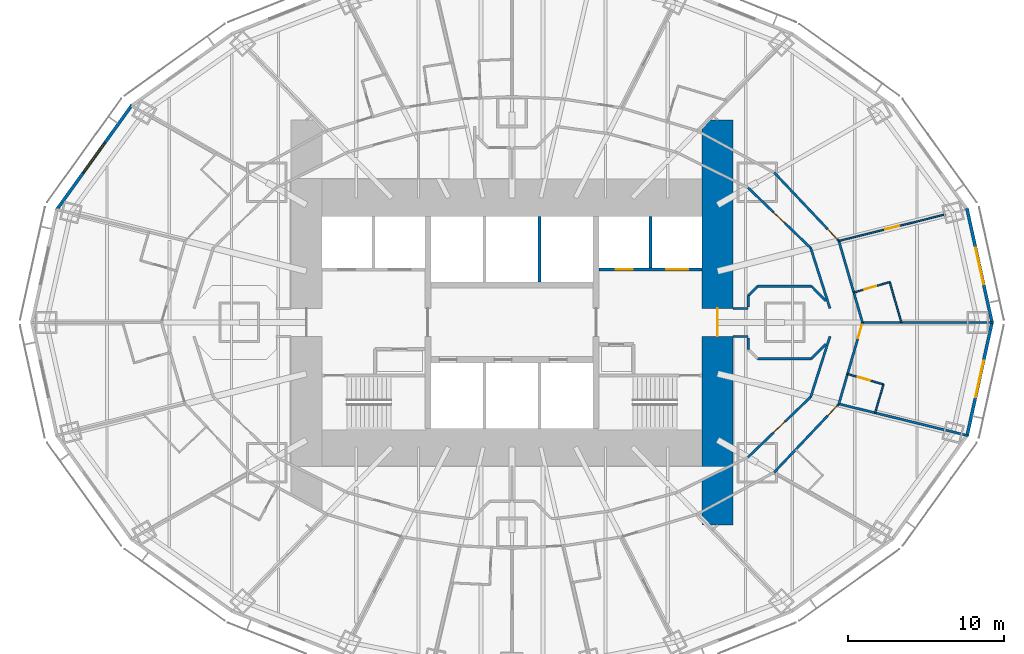
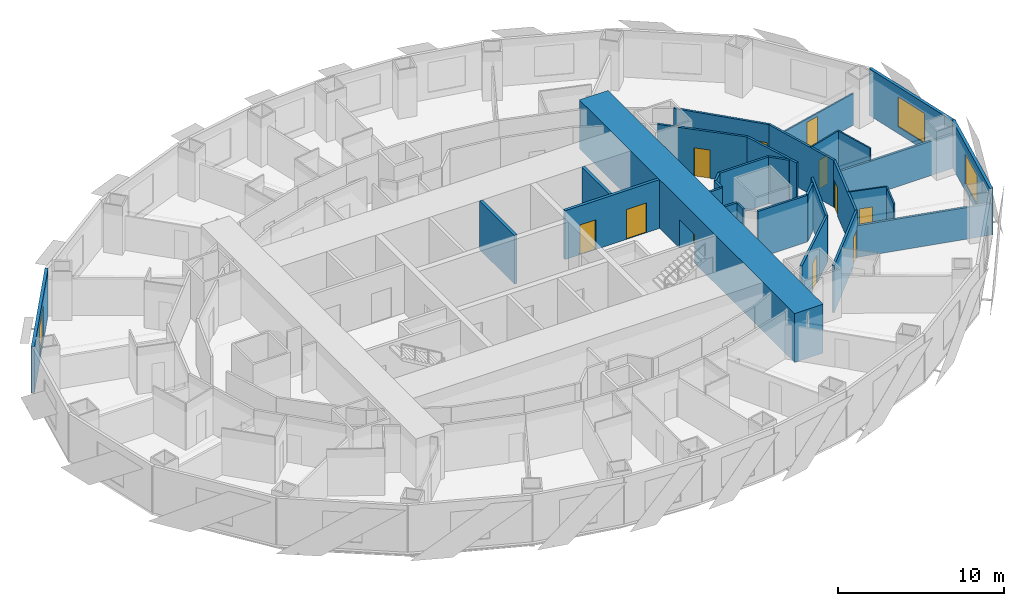
# One storey, part 8 of 15: 31 walls, 11 doors, 3 windows, 14 openings.
"""IFC4 building model written with IfcOpenShell, lengths in metres."""

from ifc_helpers import new_model, si_unit, direction, frame, frame_2d, origin, place, context, subcontext, project, spatial, rectangle, extrude, material, layer, layer_set, type_object, element, fill, save


model = new_model("IFC4")

# Units and contexts
model_context = context("Model", 3, precision=1e-05, world=origin(), true_north=direction((0.0, 1.0)))
body_context = subcontext(model_context, "Body", "Model", "MODEL_VIEW")
ifc_project = project(units=[si_unit("LENGTHUNIT", "METRE"), si_unit("AREAUNIT", "SQUARE_METRE"), si_unit("VOLUMEUNIT", "CUBIC_METRE"), si_unit("PLANEANGLEUNIT", "RADIAN"), si_unit("MASSUNIT", "GRAM", prefix="KILO")], contexts=[model_context])

# Site, building, storey
site_placement = place(None, origin())
site = spatial("IfcSite", under=ifc_project, at=site_placement, CompositionType="ELEMENT")
building_placement = place(site_placement, origin())
building = spatial("IfcBuilding", under=site, at=building_placement, Name="Lantaw Convention Tower", CompositionType="ELEMENT")
storey_placement = place(building_placement, frame((0.0, 0.0, 44.199951171875)))
storey = spatial("IfcBuildingStorey", under=building, at=storey_placement, Name="L08", CompositionType="ELEMENT", Elevation=44.199951171875)

# Wall, opening, door
ifc_material_1 = material(Name="Moisture resistant gypsum board on steel studs", Category="steel")
ifc_layer_1 = layer(ifc_material_1, 0.10009765625)
ifc_layer_set_1 = layer_set([ifc_layer_1], Name="Bathroom wall 100")
wall_type_1 = type_object("IfcWallType", Name="Bathroom wall 100", PredefinedType="PARTITIONING", material=ifc_layer_set_1)
wall_1_placement = place(storey_placement, frame((21.943359375, 1.9208984375, 0.0), z_axis=(0.0, 0.0, 1.0), x_axis=(0.960496317326, 0.278292695563, 0.0)))
wall_1 = element("IfcWall", 1, at=wall_1_placement, inside=storey, type_object=wall_type_1, Name="Bathroom wall 100", PredefinedType="PARTITIONING", context=body_context, shape_type="SweptSolid", body=[
    extrude(rectangle(XDim=2.400146484375, YDim=0.10009765625, at=frame_2d((1.2001953125, 0.0))), origin(), (0.0, 0.0, 1.0), 3.449951171875),
])
opening_1_placement = place(wall_1_placement, frame((0.699951171875, 0.0, 0.0)))
opening_1 = element("IfcOpeningElement", 2, at=opening_1_placement, cuts=wall_1, Name="Opening L08.26", PredefinedType="OPENING", context=body_context, shape_type="SweptSolid", body=[
    extrude(rectangle(XDim=0.800048828125, YDim=2.10009765625, at=frame_2d((0.39990234375, 1.050048828125))), frame((0.0, 0.06005859375, 0.0), z_axis=(0.0, -1.0, 0.0), x_axis=(1.0, 0.0, 0.0)), (0.0, 0.0, 1.0), 0.1201171875),
])
ifc_material_2 = material(Name="Timber", Category="wood")
door_type_1 = type_object("IfcDoorType", Name="Bathroom door 800", OperationType="SINGLE_SWING_LEFT", PredefinedType="DOOR", material=ifc_material_2)
door_1_placement = place(opening_1_placement, origin())
door_1 = element("IfcDoor", 3, at=door_1_placement, inside=storey, type_object=door_type_1, Name="Bathroom door", OperationType="SINGLE_SWING_LEFT", OverallHeight=2.10009765625, OverallWidth=0.800048828125, PredefinedType="DOOR", context=body_context, shape_type="SweptSolid", body=[
    extrude(rectangle(XDim=0.800048828125, YDim=2.10009765625, at=frame_2d((0.39990234375, 1.050048828125))), frame((0.0, 0.02490234375, 0.0), z_axis=(0.0, -1.0, 0.0), x_axis=(1.0, 0.0, 0.0)), (0.0, 0.0, 1.0), 0.050048828125),
])
fill(opening_1, door_1)

# Wall
wall_2_placement = place(storey_placement, frame((24.248779296875, 2.5888671875, 0.0), z_axis=(0.0, 0.0, 1.0), x_axis=(0.278260412958, -0.960505670249, 0.0)))
element("IfcWall", 4, at=wall_2_placement, inside=storey, type_object=wall_type_1, Name="Bathroom wall 100", PredefinedType="PARTITIONING", context=body_context, shape_type="SweptSolid", body=[
    extrude(rectangle(XDim=2.6953125, YDim=0.10009765625, at=frame_2d((1.34765625, 0.0))), origin(), (0.0, 0.0, 1.0), 3.449951171875),
])

# Wall, opening, door
wall_3_placement = place(storey_placement, frame((21.540771484375, -3.31103515625, 0.0), z_axis=(0.0, 0.0, 1.0), x_axis=(0.960515628303, -0.278226037218, 0.0)))
wall_3 = element("IfcWall", 5, at=wall_3_placement, inside=storey, type_object=wall_type_1, Name="Bathroom wall 100", PredefinedType="PARTITIONING", context=body_context, shape_type="SweptSolid", body=[
    extrude(rectangle(XDim=2.39990234375, YDim=0.10009765625, at=frame_2d((1.199951171875, 0.0))), origin(), (0.0, 0.0, 1.0), 3.449951171875),
])
opening_2_placement = place(wall_3_placement, frame((0.699951171875, 0.0, 0.0)))
opening_2 = element("IfcOpeningElement", 6, at=opening_2_placement, cuts=wall_3, Name="Opening L08.60", PredefinedType="OPENING", context=body_context, shape_type="SweptSolid", body=[
    extrude(rectangle(XDim=0.800048828125, YDim=2.10009765625, at=frame_2d((0.39990234375, 1.050048828125))), frame((0.0, 0.06005859375, 0.0), z_axis=(0.0, -1.0, 0.0), x_axis=(1.0, 0.0, 0.0)), (0.0, 0.0, 1.0), 0.1201171875),
])
door_2_placement = place(opening_2_placement, origin())
door_2 = element("IfcDoor", 7, at=door_2_placement, inside=storey, type_object=door_type_1, Name="Bathroom door", OperationType="SINGLE_SWING_LEFT", OverallHeight=2.10009765625, OverallWidth=0.800048828125, PredefinedType="DOOR", context=body_context, shape_type="SweptSolid", body=[
    extrude(rectangle(XDim=0.800048828125, YDim=2.10009765625, at=frame_2d((0.39990234375, 1.050048828125))), frame((0.0, 0.02490234375, 0.0), z_axis=(0.0, -1.0, 0.0), x_axis=(1.0, 0.0, 0.0)), (0.0, 0.0, 1.0), 0.050048828125),
])
fill(opening_2, door_2)

# Wall
wall_4_placement = place(storey_placement, frame((23.845947265625, -3.978759765625, 0.0), z_axis=(0.0, 0.0, 1.0), x_axis=(-0.278197767203, -0.960523816635, 0.0)))
element("IfcWall", 8, at=wall_4_placement, inside=storey, type_object=wall_type_1, Name="Bathroom wall 100", PredefinedType="PARTITIONING", context=body_context, shape_type="SweptSolid", body=[
    extrude(rectangle(XDim=1.90966796875, YDim=0.10009765625, at=frame_2d((0.954833984375, 0.0))), origin(), (0.0, 0.0, 1.0), 3.449951171875),
])

# Wall, opening, door
ifc_material_3 = material(Name="Concrete C60/75", Category="concrete")
ifc_layer_2 = layer(ifc_material_3, 2.0)
ifc_layer_set_2 = layer_set([ifc_layer_2], Name="Core wall 2000")
wall_type_2 = type_object("IfcWallType", Name="Core wall 2000", PredefinedType="SHEAR", material=ifc_layer_set_2)
wall_5_placement = place(storey_placement, frame((13.199951171875, -13.0, 0.0), z_axis=(0.0, 0.0, 1.0), x_axis=(0.0, 1.0, 0.0)))
wall_5 = element("IfcWall", 9, at=wall_5_placement, inside=storey, type_object=wall_type_2, Name="Core wall E", PredefinedType="SHEAR", context=body_context, shape_type="SweptSolid", body=[
    extrude(rectangle(XDim=26.0, YDim=2.0, at=frame_2d((13.0, 0.0))), origin(), (0.0, 0.0, 1.0), 3.60009765625),
])
opening_3_placement = place(wall_5_placement, frame((12.10009765625, 0.0, 0.0)))
opening_3 = element("IfcOpeningElement", 10, at=opening_3_placement, cuts=wall_5, Name="Opening L08.07", PredefinedType="OPENING", context=body_context, shape_type="SweptSolid", body=[
    extrude(rectangle(XDim=1.800048828125, YDim=2.10009765625, at=frame_2d((0.89990234375, 1.050048828125))), frame((0.0, 1.010009765625, 0.0), z_axis=(0.0, -1.0, 0.0), x_axis=(1.0, 0.0, 0.0)), (0.0, 0.0, 1.0), 2.02001953125),
])
ifc_material_4 = material(Name="Steel, fire rated", Category="steel")
door_type_2 = type_object("IfcDoorType", Name="Lobby double door FD90", OperationType="DOUBLE_DOOR_DOUBLE_SWING", PredefinedType="DOOR", material=ifc_material_4)
door_3_placement = place(opening_3_placement, origin())
door_3 = element("IfcDoor", 11, at=door_3_placement, inside=storey, type_object=door_type_2, Name="Firefighting lobby door", OperationType="DOUBLE_DOOR_DOUBLE_SWING", OverallHeight=2.10009765625, OverallWidth=1.800048828125, PredefinedType="DOOR", context=body_context, shape_type="SweptSolid", body=[
    extrude(rectangle(XDim=1.800048828125, YDim=2.10009765625, at=frame_2d((0.89990234375, 1.050048828125))), frame((0.0, 0.02490234375, 0.0), z_axis=(0.0, -1.0, 0.0), x_axis=(1.0, 0.0, 0.0)), (0.0, 0.0, 1.0), 0.050048828125),
])
fill(opening_3, door_3)

# Wall
ifc_material_5 = material(Name="Gypsum board on steel studs, fire rated", Category="steel")
ifc_layer_3 = layer(ifc_material_5, 0.14990234375)
ifc_layer_set_3 = layer_set([ifc_layer_3], Name="Corridor wall 150 EI 60")
wall_type_3 = type_object("IfcWallType", Name="Corridor wall 150 EI 60", PredefinedType="PARTITIONING", material=ifc_layer_set_3)
wall_6_placement = place(storey_placement, frame((22.5, 0.0, 0.0), z_axis=(0.0, 0.0, 1.0), x_axis=(-0.278247435376, 0.960509429785, 0.0)))
element("IfcWall", 12, at=wall_6_placement, inside=storey, type_object=wall_type_3, Name="Corridor wall 150", PredefinedType="PARTITIONING", context=body_context, shape_type="SweptSolid", body=[
    extrude(rectangle(XDim=5.447021484375, YDim=0.14990234375, at=frame_2d((2.7236328125, 0.0))), origin(), (0.0, 0.0, 1.0), 3.449951171875),
])

# Wall, opening, door
wall_7_placement = place(storey_placement, frame((20.984375, 5.23193359375, 0.0), z_axis=(0.0, 0.0, 1.0), x_axis=(-0.687062608696, 0.726598218916, 0.0)))
wall_7 = element("IfcWall", 13, at=wall_7_placement, inside=storey, type_object=wall_type_3, Name="Corridor wall 150", PredefinedType="PARTITIONING", context=body_context, shape_type="SweptSolid", body=[
    extrude(rectangle(XDim=6.039306640625, YDim=0.14990234375, at=frame_2d((3.01953125, 0.0))), origin(), (0.0, 0.0, 1.0), 3.449951171875),
])
opening_4_placement = place(wall_7_placement, frame((0.14990234375, 0.0, 0.0)))
opening_4 = element("IfcOpeningElement", 14, at=opening_4_placement, cuts=wall_7, Name="Opening L08.28", PredefinedType="OPENING", context=body_context, shape_type="SweptSolid", body=[
    extrude(rectangle(XDim=0.89990234375, YDim=2.10009765625, at=frame_2d((0.449951171875, 1.050048828125))), frame((0.0, 0.0849609375, 0.0), z_axis=(0.0, -1.0, 0.0), x_axis=(1.0, 0.0, 0.0)), (0.0, 0.0, 1.0), 0.169921875),
])
door_type_3 = type_object("IfcDoorType", Name="Guest room entrance door FD30S", OperationType="SINGLE_SWING_LEFT", PredefinedType="DOOR", material=ifc_material_4)
door_4_placement = place(opening_4_placement, origin())
door_4 = element("IfcDoor", 15, at=door_4_placement, inside=storey, type_object=door_type_3, Name="Suite entrance door", OperationType="SINGLE_SWING_LEFT", OverallHeight=2.10009765625, OverallWidth=0.89990234375, PredefinedType="DOOR", context=body_context, shape_type="SweptSolid", body=[
    extrude(rectangle(XDim=0.89990234375, YDim=2.10009765625, at=frame_2d((0.449951171875, 1.050048828125))), frame((0.0, 0.02490234375, 0.0), z_axis=(0.0, -1.0, 0.0), x_axis=(1.0, 0.0, 0.0)), (0.0, 0.0, 1.0), 0.050048828125),
])
fill(opening_4, door_4)

wall_8_placement = place(storey_placement, frame((16.8349609375, -9.6201171875, 0.0), z_axis=(0.0, 0.0, 1.0), x_axis=(0.687062608696, 0.726598218916, 0.0)))
wall_8 = element("IfcWall", 16, at=wall_8_placement, inside=storey, type_object=wall_type_3, Name="Corridor wall 150", PredefinedType="PARTITIONING", context=body_context, shape_type="SweptSolid", body=[
    extrude(rectangle(XDim=6.039306640625, YDim=0.14990234375, at=frame_2d((3.01953125, 0.0))), origin(), (0.0, 0.0, 1.0), 3.449951171875),
])
opening_5_placement = place(wall_8_placement, frame((4.989013671875, 0.0, 0.0)))
opening_5 = element("IfcOpeningElement", 17, at=opening_5_placement, cuts=wall_8, Name="Opening L08.59", PredefinedType="OPENING", context=body_context, shape_type="SweptSolid", body=[
    extrude(rectangle(XDim=0.89990234375, YDim=2.10009765625, at=frame_2d((0.449951171875, 1.050048828125))), frame((0.0, 0.0849609375, 0.0), z_axis=(0.0, -1.0, 0.0), x_axis=(1.0, 0.0, 0.0)), (0.0, 0.0, 1.0), 0.169921875),
])
door_5_placement = place(opening_5_placement, origin())
door_5 = element("IfcDoor", 18, at=door_5_placement, inside=storey, type_object=door_type_3, Name="Guest room entrance door", OperationType="SINGLE_SWING_LEFT", OverallHeight=2.10009765625, OverallWidth=0.89990234375, PredefinedType="DOOR", context=body_context, shape_type="SweptSolid", body=[
    extrude(rectangle(XDim=0.89990234375, YDim=2.10009765625, at=frame_2d((0.449951171875, 1.050048828125))), frame((0.0, 0.02490234375, 0.0), z_axis=(0.0, -1.0, 0.0), x_axis=(1.0, 0.0, 0.0)), (0.0, 0.0, 1.0), 0.050048828125),
])
fill(opening_5, door_5)

wall_9_placement = place(storey_placement, frame((20.984375, -5.23193359375, 0.0), z_axis=(0.0, 0.0, 1.0), x_axis=(0.278247435376, 0.960509429785, 0.0)))
wall_9 = element("IfcWall", 19, at=wall_9_placement, inside=storey, type_object=wall_type_3, Name="Corridor wall 150", PredefinedType="PARTITIONING", context=body_context, shape_type="SweptSolid", body=[
    extrude(rectangle(XDim=5.447021484375, YDim=0.14990234375, at=frame_2d((2.7236328125, 0.0))), origin(), (0.0, 0.0, 1.0), 3.449951171875),
])
opening_6_placement = place(wall_9_placement, frame((4.397216796875, 0.0, 0.0)))
opening_6 = element("IfcOpeningElement", 20, at=opening_6_placement, cuts=wall_9, Name="Opening L08.61", PredefinedType="OPENING", context=body_context, shape_type="SweptSolid", body=[
    extrude(rectangle(XDim=0.89990234375, YDim=2.10009765625, at=frame_2d((0.449951171875, 1.050048828125))), frame((0.0, 0.0849609375, 0.0), z_axis=(0.0, -1.0, 0.0), x_axis=(1.0, 0.0, 0.0)), (0.0, 0.0, 1.0), 0.169921875),
])
door_6_placement = place(opening_6_placement, origin())
door_6 = element("IfcDoor", 21, at=door_6_placement, inside=storey, type_object=door_type_3, Name="Guest room entrance door", OperationType="SINGLE_SWING_LEFT", OverallHeight=2.10009765625, OverallWidth=0.89990234375, PredefinedType="DOOR", context=body_context, shape_type="SweptSolid", body=[
    extrude(rectangle(XDim=0.89990234375, YDim=2.10009765625, at=frame_2d((0.449951171875, 1.050048828125))), frame((0.0, 0.02490234375, 0.0), z_axis=(0.0, -1.0, 0.0), x_axis=(1.0, 0.0, 0.0)), (0.0, 0.0, 1.0), 0.050048828125),
])
fill(opening_6, door_6)

# Wall
wall_10_placement = place(storey_placement, frame((20.413330078125, 0.89990234375, 0.0), z_axis=(0.0, 0.0, 1.0), x_axis=(-0.303505448228, 0.952829702988, 0.0)))
element("IfcWall", 22, at=wall_10_placement, inside=storey, type_object=wall_type_3, Name="Corridor wall 150", PredefinedType="PARTITIONING", context=body_context, shape_type="SweptSolid", body=[
    extrude(rectangle(XDim=4.073486328125, YDim=0.14990234375, at=frame_2d((2.03662109375, 0.0))), origin(), (0.0, 0.0, 1.0), 3.449951171875),
])

# Wall, opening, door
wall_11_placement = place(storey_placement, frame((19.177001953125, 4.78125, 0.0), z_axis=(0.0, 0.0, 1.0), x_axis=(-0.720837261072, 0.693104352209, 0.0)))
wall_11 = element("IfcWall", 23, at=wall_11_placement, inside=storey, type_object=wall_type_3, Name="Corridor wall 150", PredefinedType="PARTITIONING", context=body_context, shape_type="SweptSolid", body=[
    extrude(rectangle(XDim=5.590087890625, YDim=0.14990234375, at=frame_2d((2.794921875, 0.0))), origin(), (0.0, 0.0, 1.0), 3.449951171875),
])
opening_7_placement = place(wall_11_placement, frame((2.294921875, 0.0, 0.0)))
opening_7 = element("IfcOpeningElement", 24, at=opening_7_placement, cuts=wall_11, Name="Opening L08.17", PredefinedType="OPENING", context=body_context, shape_type="SweptSolid", body=[
    extrude(rectangle(XDim=1.0, YDim=2.10009765625, at=frame_2d((0.5, 1.050048828125))), frame((0.0, 0.0849609375, 0.0), z_axis=(0.0, -1.0, 0.0), x_axis=(1.0, 0.0, 0.0)), (0.0, 0.0, 1.0), 0.169921875),
])
door_type_4 = type_object("IfcDoorType", Name="Service door 1000 FD30", OperationType="SINGLE_SWING_LEFT", PredefinedType="DOOR", material=ifc_material_4)
door_7_placement = place(opening_7_placement, origin())
door_7 = element("IfcDoor", 25, at=door_7_placement, inside=storey, type_object=door_type_4, Name="Linen store door", OperationType="SINGLE_SWING_LEFT", OverallHeight=2.10009765625, OverallWidth=1.0, PredefinedType="DOOR", context=body_context, shape_type="SweptSolid", body=[
    extrude(rectangle(XDim=1.0, YDim=2.10009765625, at=frame_2d((0.5, 1.050048828125))), frame((0.0, 0.02490234375, 0.0), z_axis=(0.0, -1.0, 0.0), x_axis=(1.0, 0.0, 0.0)), (0.0, 0.0, 1.0), 0.050048828125),
])
fill(opening_7, door_7)

wall_12_placement = place(storey_placement, frame((15.1474609375, -8.65576171875, 0.0), z_axis=(0.0, 0.0, 1.0), x_axis=(0.720837261072, 0.693104352209, 0.0)))
wall_12 = element("IfcWall", 26, at=wall_12_placement, inside=storey, type_object=wall_type_3, Name="Corridor wall 150", PredefinedType="PARTITIONING", context=body_context, shape_type="SweptSolid", body=[
    extrude(rectangle(XDim=5.590087890625, YDim=0.14990234375, at=frame_2d((2.794921875, 0.0))), origin(), (0.0, 0.0, 1.0), 3.449951171875),
])
opening_8_placement = place(wall_12_placement, frame((2.294921875, 0.0, 0.0)))
opening_8 = element("IfcOpeningElement", 27, at=opening_8_placement, cuts=wall_12, Name="Opening L08.25", PredefinedType="OPENING", context=body_context, shape_type="SweptSolid", body=[
    extrude(rectangle(XDim=1.0, YDim=2.10009765625, at=frame_2d((0.5, 1.050048828125))), frame((0.0, 0.0849609375, 0.0), z_axis=(0.0, -1.0, 0.0), x_axis=(1.0, 0.0, 0.0)), (0.0, 0.0, 1.0), 0.169921875),
])
door_8_placement = place(opening_8_placement, origin())
door_8 = element("IfcDoor", 28, at=door_8_placement, inside=storey, type_object=door_type_4, Name="Room service pantry door", OperationType="SINGLE_SWING_LEFT", OverallHeight=2.10009765625, OverallWidth=1.0, PredefinedType="DOOR", context=body_context, shape_type="SweptSolid", body=[
    extrude(rectangle(XDim=1.0, YDim=2.10009765625, at=frame_2d((0.5, 1.050048828125))), frame((0.0, 0.02490234375, 0.0), z_axis=(0.0, -1.0, 0.0), x_axis=(1.0, 0.0, 0.0)), (0.0, 0.0, 1.0), 0.050048828125),
])
fill(opening_8, door_8)

# Walls
wall_13_placement = place(storey_placement, frame((19.177001953125, -4.78125, 0.0), z_axis=(0.0, 0.0, 1.0), x_axis=(0.303505448228, 0.952829702988, 0.0)))
element("IfcWall", 29, at=wall_13_placement, inside=storey, type_object=wall_type_3, Name="Corridor wall 150", PredefinedType="PARTITIONING", context=body_context, shape_type="SweptSolid", body=[
    extrude(rectangle(XDim=4.073486328125, YDim=0.14990234375, at=frame_2d((2.03662109375, 0.0))), origin(), (0.0, 0.0, 1.0), 3.449951171875),
])
for number, where, z_axis, x_axis, name in (
    (30, (14.199951171875, -0.89990234375, 0.0), (0.0, 0.0, 1.0), (1.0, 0.0, 0.0), "Corridor wall 150"),
    (31, (14.199951171875, 0.89990234375, 0.0), (0.0, 0.0, 1.0), (1.0, 0.0, 0.0), "Corridor wall 150"),
):
    element("IfcWall", number, at=place(storey_placement, frame(where, z_axis=z_axis, x_axis=x_axis)), inside=storey, type_object=wall_type_3, Name=name, PredefinedType="PARTITIONING", context=body_context, shape_type="SweptSolid", body=[
        extrude(rectangle(XDim=0.965087890625, YDim=0.14990234375, at=frame_2d((0.482421875, 0.0))), origin(), (0.0, 0.0, 1.0), 3.449951171875),
    ])
wall_14_placement = place(storey_placement, frame((15.175048828125, 1.003173828125, 0.0), z_axis=(0.0, 0.0, 1.0), x_axis=(0.0, 1.0, 0.0)))
element("IfcWall", 32, at=wall_14_placement, inside=storey, type_object=wall_type_3, Name="Corridor wall 150", PredefinedType="PARTITIONING", context=body_context, shape_type="SweptSolid", body=[
    extrude(rectangle(XDim=0.721435546875, YDim=0.14990234375, at=frame_2d((0.36083984375, 0.0))), origin(), (0.0, 0.0, 1.0), 3.449951171875),
])
wall_15_placement = place(storey_placement, frame((15.175048828125, 1.724609375, 0.0), z_axis=(0.0, 0.0, 1.0), x_axis=(0.707106781187, 0.707106781187, 0.0)))
element("IfcWall", 33, at=wall_15_placement, inside=storey, type_object=wall_type_3, Name="Corridor wall 150", PredefinedType="PARTITIONING", context=body_context, shape_type="SweptSolid", body=[
    extrude(rectangle(XDim=0.84912109375, YDim=0.14990234375, at=frame_2d((0.424560546875, 0.0))), origin(), (0.0, 0.0, 1.0), 3.449951171875),
])
wall_16_placement = place(storey_placement, frame((15.775390625, 2.324951171875, 0.0), z_axis=(0.0, 0.0, 1.0), x_axis=(1.0, 0.0, 0.0)))
element("IfcWall", 34, at=wall_16_placement, inside=storey, type_object=wall_type_3, Name="Corridor wall 150", PredefinedType="PARTITIONING", context=body_context, shape_type="SweptSolid", body=[
    extrude(rectangle(XDim=3.44921875, YDim=0.14990234375, at=frame_2d((1.724609375, 0.0))), origin(), (0.0, 0.0, 1.0), 3.449951171875),
])
for number, where, z_axis, x_axis, name in (
    (35, (19.224609375, 2.324951171875, 0.0), (0.0, 0.0, 1.0), (0.700694560486, -0.713461374501, 0.0), "Corridor wall 150"),
    (36, (20.149169921875, -1.383544921875, 0.0), (0.0, 0.0, 1.0), (-0.700694560486, -0.713461374501, 0.0), "Corridor wall 150"),
):
    element("IfcWall", number, at=place(storey_placement, frame(where, z_axis=z_axis, x_axis=x_axis)), inside=storey, type_object=wall_type_3, Name=name, PredefinedType="PARTITIONING", context=body_context, shape_type="SweptSolid", body=[
        extrude(rectangle(XDim=1.319580078125, YDim=0.14990234375, at=frame_2d((0.65966796875, 0.0))), origin(), (0.0, 0.0, 1.0), 3.449951171875),
    ])
wall_17_placement = place(storey_placement, frame((19.224609375, -2.324951171875, 0.0), z_axis=(0.0, 0.0, 1.0), x_axis=(-1.0, 0.0, 0.0)))
element("IfcWall", 37, at=wall_17_placement, inside=storey, type_object=wall_type_3, Name="Corridor wall 150", PredefinedType="PARTITIONING", context=body_context, shape_type="SweptSolid", body=[
    extrude(rectangle(XDim=3.44921875, YDim=0.14990234375, at=frame_2d((1.724609375, 0.0))), origin(), (0.0, 0.0, 1.0), 3.449951171875),
])
wall_18_placement = place(storey_placement, frame((15.175048828125, -1.724609375, 0.0), z_axis=(0.0, 0.0, 1.0), x_axis=(0.0, 1.0, 0.0)))
element("IfcWall", 38, at=wall_18_placement, inside=storey, type_object=wall_type_3, Name="Corridor wall 150", PredefinedType="PARTITIONING", context=body_context, shape_type="SweptSolid", body=[
    extrude(rectangle(XDim=0.721435546875, YDim=0.14990234375, at=frame_2d((0.36083984375, 0.0))), origin(), (0.0, 0.0, 1.0), 3.449951171875),
])

# Wall, opening, window
ifc_material_6 = material(Name="Insulated aluminium panel on steel frame", Category="steel")
ifc_layer_4 = layer(ifc_material_6, 0.199951171875)
ifc_layer_set_4 = layer_set([ifc_layer_4], Name="External wall 200")
wall_type_4 = type_object("IfcWallType", Name="External wall 200", PredefinedType="SOLIDWALL", material=ifc_layer_set_4)
wall_19_placement = place(storey_placement, frame((30.83544921875, -0.06689453125, 0.0), z_axis=(0.0, 0.0, 1.0), x_axis=(-0.215238065514, 0.976561608478, 0.0)))
wall_19 = element("IfcWall", 39, at=wall_19_placement, inside=storey, type_object=wall_type_4, Name="Facade panel wall", PredefinedType="SOLIDWALL", context=body_context, shape_type="SweptSolid", body=[
    extrude(rectangle(XDim=7.562255859375, YDim=0.199951171875, at=frame_2d((3.78125, 0.0))), origin(), (0.0, 0.0, 1.0), 3.449951171875),
])
opening_9_placement = place(wall_19_placement, frame((2.581298828125, 0.0, 0.5)))
opening_9 = element("IfcOpeningElement", 40, at=opening_9_placement, cuts=wall_19, Name="Opening W1", PredefinedType="OPENING", context=body_context, shape_type="SweptSolid", body=[
    extrude(rectangle(XDim=2.39990234375, YDim=2.199951171875, at=frame_2d((1.199951171875, 1.10009765625))), frame((0.0, 0.10986328125, 0.0), z_axis=(0.0, -1.0, 0.0), x_axis=(1.0, 0.0, 0.0)), (0.0, 0.0, 1.0), 0.219970703125),
])
ifc_material_7 = material(Name="Aluminium frame, clear insulating glass", Category="aluminium")
window_type = type_object("IfcWindowType", Name="Guest room window 2400x2200", PartitioningType="SINGLE_PANEL", PredefinedType="WINDOW", material=ifc_material_7)
window_1_placement = place(opening_9_placement, origin())
window_1 = element("IfcWindow", 41, at=window_1_placement, inside=storey, type_object=window_type, Name="Guest room window", OverallHeight=2.199951171875, OverallWidth=2.39990234375, PartitioningType="SINGLE_PANEL", PredefinedType="WINDOW", context=body_context, shape_type="SweptSolid", body=[
    extrude(rectangle(XDim=2.39990234375, YDim=2.199951171875, at=frame_2d((1.199951171875, 1.10009765625))), frame((0.0, 0.030029296875, 0.0), z_axis=(0.0, -1.0, 0.0), x_axis=(1.0, 0.0, 0.0)), (0.0, 0.0, 1.0), 0.06005859375),
])
fill(opening_9, window_1)

wall_20_placement = place(storey_placement, frame((-24.400390625, 13.95654296875, 0.0), z_axis=(0.0, 0.0, 1.0), x_axis=(-0.583937613703, -0.811798536155, 0.0)))
wall_20 = element("IfcWall", 42, at=wall_20_placement, inside=storey, type_object=wall_type_4, Name="Facade panel wall", PredefinedType="SOLIDWALL", context=body_context, shape_type="SweptSolid", body=[
    extrude(rectangle(XDim=8.322998046875, YDim=0.199951171875, at=frame_2d((4.16162109375, 0.0))), origin(), (0.0, 0.0, 1.0), 3.449951171875),
])
opening_10_placement = place(wall_20_placement, frame((2.96142578125, 0.0, 0.5)))
opening_10 = element("IfcOpeningElement", 43, at=opening_10_placement, cuts=wall_20, Name="Opening W1", PredefinedType="OPENING", context=body_context, shape_type="SweptSolid", body=[
    extrude(rectangle(XDim=2.39990234375, YDim=2.199951171875, at=frame_2d((1.199951171875, 1.10009765625))), frame((0.0, 0.10986328125, 0.0), z_axis=(0.0, -1.0, 0.0), x_axis=(1.0, 0.0, 0.0)), (0.0, 0.0, 1.0), 0.219970703125),
])
window_2_placement = place(opening_10_placement, origin())
window_2 = element("IfcWindow", 44, at=window_2_placement, inside=storey, type_object=window_type, Name="Guest room window", OverallHeight=2.199951171875, OverallWidth=2.39990234375, PartitioningType="SINGLE_PANEL", PredefinedType="WINDOW", context=body_context, shape_type="SweptSolid", body=[
    extrude(rectangle(XDim=2.39990234375, YDim=2.199951171875, at=frame_2d((1.199951171875, 1.10009765625))), frame((0.0, 0.030029296875, 0.0), z_axis=(0.0, -1.0, 0.0), x_axis=(1.0, 0.0, 0.0)), (0.0, 0.0, 1.0), 0.06005859375),
])
fill(opening_10, window_2)

wall_21_placement = place(storey_placement, frame((29.207763671875, -7.318115234375, 0.0), z_axis=(0.0, 0.0, 1.0), x_axis=(0.215238065514, 0.976561608478, 0.0)))
wall_21 = element("IfcWall", 45, at=wall_21_placement, inside=storey, type_object=wall_type_4, Name="Facade panel wall", PredefinedType="SOLIDWALL", context=body_context, shape_type="SweptSolid", body=[
    extrude(rectangle(XDim=7.562255859375, YDim=0.199951171875, at=frame_2d((3.78125, 0.0))), origin(), (0.0, 0.0, 1.0), 3.449951171875),
])
opening_11_placement = place(wall_21_placement, frame((2.581298828125, 0.0, 0.5)))
opening_11 = element("IfcOpeningElement", 46, at=opening_11_placement, cuts=wall_21, Name="Opening W1", PredefinedType="OPENING", context=body_context, shape_type="SweptSolid", body=[
    extrude(rectangle(XDim=2.39990234375, YDim=2.199951171875, at=frame_2d((1.199951171875, 1.10009765625))), frame((0.0, 0.10986328125, 0.0), z_axis=(0.0, -1.0, 0.0), x_axis=(1.0, 0.0, 0.0)), (0.0, 0.0, 1.0), 0.219970703125),
])
window_3_placement = place(opening_11_placement, origin())
window_3 = element("IfcWindow", 47, at=window_3_placement, inside=storey, type_object=window_type, Name="Guest room window", OverallHeight=2.199951171875, OverallWidth=2.39990234375, PartitioningType="SINGLE_PANEL", PredefinedType="WINDOW", context=body_context, shape_type="SweptSolid", body=[
    extrude(rectangle(XDim=2.39990234375, YDim=2.199951171875, at=frame_2d((1.199951171875, 1.10009765625))), frame((0.0, 0.030029296875, 0.0), z_axis=(0.0, -1.0, 0.0), x_axis=(1.0, 0.0, 0.0)), (0.0, 0.0, 1.0), 0.06005859375),
])
fill(opening_11, window_3)

# Walls
ifc_material_8 = material(Name="Gypsum board on steel studs, acoustic", Category="steel")
ifc_layer_5 = layer(ifc_material_8, 0.14990234375)
ifc_layer_set_5 = layer_set([ifc_layer_5], Name="Guest room party wall 150")
wall_type_5 = type_object("IfcWallType", Name="Guest room party wall 150", PredefinedType="PARTITIONING", material=ifc_layer_set_5)
wall_22_placement = place(storey_placement, frame((30.82080078125, 0.0, 0.0), z_axis=(0.0, 0.0, 1.0), x_axis=(-1.0, 0.0, 0.0)))
element("IfcWall", 48, at=wall_22_placement, inside=storey, type_object=wall_type_5, Name="Guest room party wall 150", PredefinedType="PARTITIONING", context=body_context, shape_type="SweptSolid", body=[
    extrude(rectangle(XDim=8.32080078125, YDim=0.14990234375, at=frame_2d((4.160400390625, 0.0))), origin(), (0.0, 0.0, 1.0), 2.528076171875),
])
wall_23_placement = place(storey_placement, frame((29.221923828125, -7.253662109375, 0.0), z_axis=(0.0, 0.0, 1.0), x_axis=(-0.971178166182, 0.238354713676, 0.0)))
element("IfcWall", 49, at=wall_23_placement, inside=storey, type_object=wall_type_5, Name="Guest room party wall 150", PredefinedType="PARTITIONING", context=body_context, shape_type="SweptSolid", body=[
    extrude(rectangle(XDim=8.48193359375, YDim=0.14990234375, at=frame_2d((4.240966796875, 0.0))), origin(), (0.0, 0.0, 1.0), 2.33251953125),
])
ifc_material_9 = material(Name="Concrete blockwork, fire rated", Category="masonry")
ifc_layer_6 = layer(ifc_material_9, 0.199951171875)
ifc_layer_set_6 = layer_set([ifc_layer_6], Name="Shaft wall 200")
wall_type_6 = type_object("IfcWallType", Name="Shaft wall 200", PredefinedType="SOLIDWALL", material=ifc_layer_set_6)
wall_24_placement = place(storey_placement, frame((1.7666015625, 2.60009765625, 0.0), z_axis=(0.0, 0.0, 1.0), x_axis=(0.0, 1.0, 0.0)))
element("IfcWall", 50, at=wall_24_placement, inside=storey, type_object=wall_type_6, Name="Shaft wall DN2", PredefinedType="SOLIDWALL", context=body_context, shape_type="SweptSolid", body=[
    extrude(rectangle(XDim=4.199951171875, YDim=0.199951171875, at=frame_2d((2.10009765625, 0.0))), origin(), (0.0, 0.0, 1.0), 3.60009765625),
])

# Wall, openings, doors
wall_25_placement = place(storey_placement, frame((12.199951171875, 3.39990234375, 0.0), z_axis=(0.0, 0.0, 1.0), x_axis=(-1.0, 0.0, 0.0)))
wall_25 = element("IfcWall", 51, at=wall_25_placement, inside=storey, type_object=wall_type_6, Name="Shaft wall EN", PredefinedType="SOLIDWALL", context=body_context, shape_type="SweptSolid", body=[
    extrude(rectangle(XDim=6.599853515625, YDim=0.199951171875, at=frame_2d((3.2998046875, 0.0))), origin(), (0.0, 0.0, 1.0), 3.60009765625),
])
opening_12_placement = place(wall_25_placement, frame((4.449951171875, 0.0, 0.0)))
opening_12 = element("IfcOpeningElement", 52, at=opening_12_placement, cuts=wall_25, Name="Opening L08.14", PredefinedType="OPENING", context=body_context, shape_type="SweptSolid", body=[
    extrude(rectangle(XDim=1.10009765625, YDim=2.199951171875, at=frame_2d((0.550048828125, 1.10009765625))), frame((0.0, 0.10986328125, 0.0), z_axis=(0.0, -1.0, 0.0), x_axis=(1.0, 0.0, 0.0)), (0.0, 0.0, 1.0), 0.219970703125),
])
opening_13_placement = place(wall_25_placement, frame((0.89990234375, 0.0, 0.0)))
opening_13 = element("IfcOpeningElement", 53, at=opening_13_placement, cuts=wall_25, Name="Opening L08.15", PredefinedType="OPENING", context=body_context, shape_type="SweptSolid", body=[
    extrude(rectangle(XDim=1.39990234375, YDim=2.199951171875, at=frame_2d((0.699951171875, 1.10009765625))), frame((0.0, 0.10986328125, 0.0), z_axis=(0.0, -1.0, 0.0), x_axis=(1.0, 0.0, 0.0)), (0.0, 0.0, 1.0), 0.219970703125),
])
ifc_material_10 = material(Name="Stainless steel", Category="steel")
door_type_5 = type_object("IfcDoorType", Name="Lift landing door 1100", OperationType="DOUBLE_DOOR_SLIDING", PredefinedType="DOOR", material=ifc_material_10)
door_9_placement = place(opening_12_placement, origin())
door_9 = element("IfcDoor", 54, at=door_9_placement, inside=storey, type_object=door_type_5, Name="Lift landing door FF2", OperationType="DOUBLE_DOOR_SLIDING", OverallHeight=2.199951171875, OverallWidth=1.10009765625, PredefinedType="DOOR", context=body_context, shape_type="SweptSolid", body=[
    extrude(rectangle(XDim=1.10009765625, YDim=2.199951171875, at=frame_2d((0.550048828125, 1.10009765625))), frame((0.0, 0.02490234375, 0.0), z_axis=(0.0, -1.0, 0.0), x_axis=(1.0, 0.0, 0.0)), (0.0, 0.0, 1.0), 0.050048828125),
])
fill(opening_12, door_9)
door_type_6 = type_object("IfcDoorType", Name="Lift landing door 1400", OperationType="DOUBLE_DOOR_SLIDING", PredefinedType="DOOR", material=ifc_material_10)
door_10_placement = place(opening_13_placement, origin())
door_10 = element("IfcDoor", 55, at=door_10_placement, inside=storey, type_object=door_type_6, Name="Lift landing door SV2", OperationType="DOUBLE_DOOR_SLIDING", OverallHeight=2.199951171875, OverallWidth=1.39990234375, PredefinedType="DOOR", context=body_context, shape_type="SweptSolid", body=[
    extrude(rectangle(XDim=1.39990234375, YDim=2.199951171875, at=frame_2d((0.699951171875, 1.10009765625))), frame((0.0, 0.02490234375, 0.0), z_axis=(0.0, -1.0, 0.0), x_axis=(1.0, 0.0, 0.0)), (0.0, 0.0, 1.0), 0.050048828125),
])
fill(opening_13, door_10)

# Wall
wall_26_placement = place(storey_placement, frame((8.89990234375, 3.5, 0.0), z_axis=(0.0, 0.0, 1.0), x_axis=(0.0, 1.0, 0.0)))
element("IfcWall", 56, at=wall_26_placement, inside=storey, type_object=wall_type_6, Name="Shaft wall ED", PredefinedType="SOLIDWALL", context=body_context, shape_type="SweptSolid", body=[
    extrude(rectangle(XDim=3.300048828125, YDim=0.199951171875, at=frame_2d((1.64990234375, 0.0))), origin(), (0.0, 0.0, 1.0), 3.60009765625),
])

# Wall, opening, door
ifc_material_11 = material(Name="Gypsum board on steel studs", Category="steel")
ifc_layer_7 = layer(ifc_material_11, 0.10009765625)
ifc_layer_set_7 = layer_set([ifc_layer_7], Name="Suite partition 100")
wall_type_7 = type_object("IfcWallType", Name="Suite partition 100", PredefinedType="PARTITIONING", material=ifc_layer_set_7)
wall_27_placement = place(storey_placement, frame((27.832763671875, 6.939453125, 0.0), z_axis=(0.0, 0.0, 1.0), x_axis=(-0.970294912749, -0.241925158453, 0.0)))
wall_27 = element("IfcWall", 57, at=wall_27_placement, inside=storey, type_object=wall_type_7, Name="Suite partition 100", PredefinedType="PARTITIONING", context=body_context, shape_type="SweptSolid", body=[
    extrude(rectangle(XDim=7.05810546875, YDim=0.10009765625, at=frame_2d((3.529052734375, 0.0))), origin(), (0.0, 0.0, 1.0), 2.33251953125),
])
opening_14_placement = place(wall_27_placement, frame((3.0791015625, 0.0, 0.0)))
opening_14 = element("IfcOpeningElement", 58, at=opening_14_placement, cuts=wall_27, Name="Opening L08.27", PredefinedType="OPENING", context=body_context, shape_type="SweptSolid", body=[
    extrude(rectangle(XDim=0.89990234375, YDim=2.10009765625, at=frame_2d((0.449951171875, 1.050048828125))), frame((0.0, 0.06005859375, 0.0), z_axis=(0.0, -1.0, 0.0), x_axis=(1.0, 0.0, 0.0)), (0.0, 0.0, 1.0), 0.1201171875),
])
door_type_7 = type_object("IfcDoorType", Name="Suite door 900", OperationType="SINGLE_SWING_LEFT", PredefinedType="DOOR", material=ifc_material_2)
door_11_placement = place(opening_14_placement, origin())
door_11 = element("IfcDoor", 59, at=door_11_placement, inside=storey, type_object=door_type_7, Name="Bedroom door", OperationType="SINGLE_SWING_LEFT", OverallHeight=2.10009765625, OverallWidth=0.89990234375, PredefinedType="DOOR", context=body_context, shape_type="SweptSolid", body=[
    extrude(rectangle(XDim=0.89990234375, YDim=2.10009765625, at=frame_2d((0.449951171875, 1.050048828125))), frame((0.0, 0.02490234375, 0.0), z_axis=(0.0, -1.0, 0.0), x_axis=(1.0, 0.0, 0.0)), (0.0, 0.0, 1.0), 0.050048828125),
])
fill(opening_14, door_11)

save(model, "model.ifc")
